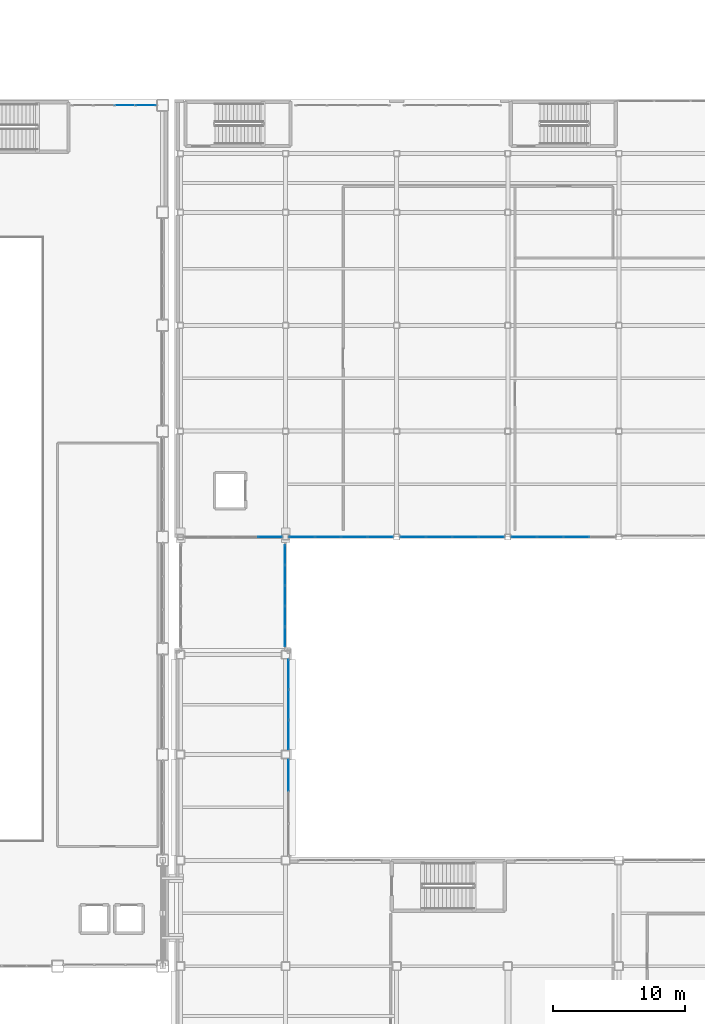
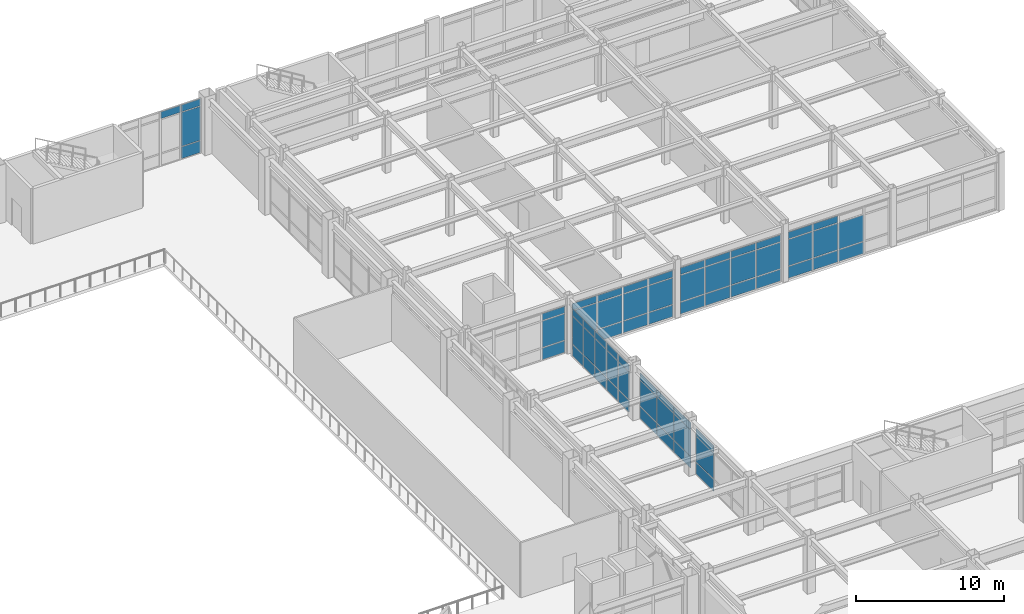
# One storey, part 132 of 172: 66 plates, 8 elements without a shape of their own.
"""IFC4 building model written with IfcOpenShell, lengths in metres."""

import ifcopenshell
import ifcopenshell.guid

model = None  # the IFC model being written
_history = None  # IfcOwnerHistory: only IFC2X3 demands one
_inside = {}  # id of a spatial element -> (the spatial element, [elements in it])
_under = {}  # id of a project, library or spatial element -> (it, [spatial elements below it])
_declared = {}  # id of a project -> (the project, [libraries it declares])
_typed = {}  # id of a type object -> (the type object, [elements of that type])
_made_of = {}  # id of a material, layer set ... -> (it, [elements and type objects made of it])


def new_model(schema):
    """Start an empty IFC model of exactly this schema.

    Asked for "IFC4X3", IfcOpenShell would pick the latest addendum, in which some entities
    have other attributes; the version numbers below select the first issue.
    IFC2X3 requires an IfcOwnerHistory on every rooted entity: one is made here for all.
    """
    global model, _history
    if schema == "IFC4X3":
        model = ifcopenshell.file(schema_version=(4, 3, 0, 0))
    else:
        model = ifcopenshell.file(schema=schema)
    _inside.clear()
    _under.clear()
    _declared.clear()
    _typed.clear()
    _made_of.clear()
    _history = None
    if model.schema == "IFC2X3":
        org = make("IfcOrganization", Name="unknown")
        user = make(
            "IfcPersonAndOrganization",
            ThePerson=make("IfcPerson", FamilyName="unknown"),
            TheOrganization=org,
        )
        app = make(
            "IfcApplication",
            ApplicationDeveloper=org,
            Version="unknown",
            ApplicationFullName="unknown",
            ApplicationIdentifier="unknown",
        )
        _history = make(
            "IfcOwnerHistory",
            OwningUser=user,
            OwningApplication=app,
            ChangeAction="ADDED",
            CreationDate=0,
        )
    return model


def make(cls, **values):
    """One entity of the class cls with the attributes given. An attribute that is None is left unset."""
    return model.create_entity(
        cls, **{name: value for name, value in values.items() if value is not None}
    )


def rooted(cls, **values):
    """An entity with a GlobalId (a new one), such as an element, a storey or a relation."""
    return make(cls, GlobalId=ifcopenshell.guid.new(), OwnerHistory=_history, **values)


def si_unit(unit_type, name, prefix=None):
    """IfcSIUnit, for example si_unit("LENGTHUNIT", "METRE", prefix="MILLI")."""
    return make("IfcSIUnit", UnitType=unit_type, Prefix=prefix, Name=name)


def assignment(units):
    """IfcUnitAssignment: the units of a project."""
    return None if units is None else make("IfcUnitAssignment", Units=units)


def point(xyz):
    """IfcCartesianPoint."""
    return None if xyz is None else make("IfcCartesianPoint", Coordinates=xyz)


def direction(xyz):
    """IfcDirection."""
    return None if xyz is None else make("IfcDirection", DirectionRatios=xyz)


def frame(location, z_axis=None, x_axis=None):
    """IfcAxis2Placement3D, a coordinate frame: its origin and axes. An axis left out is left unset."""
    return make(
        "IfcAxis2Placement3D",
        Location=point(location),
        Axis=direction(z_axis),
        RefDirection=direction(x_axis),
    )


def frame_2d(location, x_axis=None):
    """IfcAxis2Placement2D, a coordinate frame in the plane: its origin and x axis."""
    return make(
        "IfcAxis2Placement2D", Location=point(location), RefDirection=direction(x_axis)
    )


def origin():
    """The frame at (0, 0, 0) with its axes left unset."""
    return frame((0.0, 0.0, 0.0))


def origin_2d():
    """The frame at (0, 0) in the plane with its x axis left unset."""
    return frame_2d((0.0, 0.0))


def place(relative_to, where):
    """IfcLocalPlacement: puts the frame where relative to a parent placement (None: the world)."""
    return make(
        "IfcLocalPlacement", PlacementRelTo=relative_to, RelativePlacement=where
    )


def context(
    kind, dimensions, precision=None, world=None, true_north=None, identifier=None
):
    """IfcGeometricRepresentationContext, for example the 3D "Model" context."""
    return make(
        "IfcGeometricRepresentationContext",
        ContextIdentifier=identifier,
        ContextType=kind,
        CoordinateSpaceDimension=dimensions,
        Precision=precision,
        WorldCoordinateSystem=world,
        TrueNorth=true_north,
    )


def subcontext(parent, identifier, kind, view, scale=None):
    """IfcGeometricRepresentationSubContext, for example "Body" below "Model"."""
    return make(
        "IfcGeometricRepresentationSubContext",
        ContextIdentifier=identifier,
        ContextType=kind,
        ParentContext=parent,
        TargetScale=scale,
        TargetView=view,
    )


def project(units=None, contexts=None):
    """IfcProject with its units and contexts."""
    return rooted(
        "IfcProject",
        Name="project",
        RepresentationContexts=contexts,
        UnitsInContext=assignment(units),
    )


def spatial(cls, under=None, at=None, **own):
    """A site, building, storey or space (cls), placed at a placement, below another one or the project."""
    s = rooted(cls, ObjectPlacement=at, **own)
    if under is not None:
        _under.setdefault(under.id(), (under, []))[1].append(s)
    return s


def profile(cls, at=None, kind="AREA", **sizes):
    """A parametric profile (cls). Its sizes go by their IFC names, for example OverallWidth=200.0."""
    return make(cls, ProfileType=kind, Position=at, **sizes)


def rectangle(**sizes):
    """IfcRectangleProfileDef."""
    return profile("IfcRectangleProfileDef", **sizes)


def extrude(swept, where, along, depth):
    """IfcExtrudedAreaSolid: the profile swept, set in the frame where, extruded along a direction by depth."""
    return make(
        "IfcExtrudedAreaSolid",
        SweptArea=swept,
        Position=where,
        ExtrudedDirection=direction(along),
        Depth=depth,
    )


def shape(context_of_items, identifier, shape_type, items):
    """IfcShapeRepresentation: the items that make up one representation, for example the "Body"."""
    return make(
        "IfcShapeRepresentation",
        ContextOfItems=context_of_items,
        RepresentationIdentifier=identifier,
        RepresentationType=shape_type,
        Items=items,
    )


def material(Name=None, Category=None):
    """IfcMaterial."""
    return make("IfcMaterial", Name=Name, Category=Category)


def layer(
    of_material, thickness, ventilated=None, Name=None, Category=None, Priority=None
):
    """IfcMaterialLayer: one layer of a wall or slab, of a material (None: an air gap)."""
    return make(
        "IfcMaterialLayer",
        Material=of_material,
        LayerThickness=thickness,
        IsVentilated=ventilated,
        Name=Name,
        Category=Category,
        Priority=Priority,
    )


def layer_set(layers, Name=None):
    """IfcMaterialLayerSet."""
    return make("IfcMaterialLayerSet", MaterialLayers=layers, LayerSetName=Name)


def made_of(thing, what):
    """Note that an element or type object is made of a material, layer set ...; save() writes the relation."""
    if what is not None:
        _made_of.setdefault(what.id(), (what, []))[1].append(thing)
    return thing


def type_object(cls, material=None, **own):
    """A type object (cls), such as IfcWallType, which elements share."""
    return made_of(rooted(cls, **own), material)


def element(
    cls,
    number,
    at=None,
    inside=None,
    cuts=None,
    type_object=None,
    material=None,
    context=None,
    identifier="Body",
    shape_type=None,
    held_by="IfcProductDefinitionShape",
    body=None,
    shapes=None,
    **own,
):
    """One element of the class cls, such as IfcWall. Its Tag is "e" and its number.

    at: its placement. inside: the storey or other place that contains it. cuts: it is an
    opening in that element (IfcRelVoidsElement). A single representation is given by context,
    identifier, shape_type and body (its items); several are given by shapes. held_by: the class
    of the entity that holds the representations. save() writes the other relations.
    """
    e = rooted(cls, Tag="e%d" % number, ObjectPlacement=at, **own)
    if body is not None:
        shapes = [shape(context, identifier, shape_type, body)]
    if shapes is not None:
        e.Representation = make(held_by, Representations=shapes)
    if inside is not None:
        _inside.setdefault(inside.id(), (inside, []))[1].append(e)
    if cuts is not None:
        rooted(
            "IfcRelVoidsElement", RelatingBuildingElement=cuts, RelatedOpeningElement=e
        )
    if type_object is not None:
        _typed.setdefault(type_object.id(), (type_object, []))[1].append(e)
    return made_of(e, material)


def aggregate(whole, parts):
    """IfcRelAggregates: a whole, such as a stair, and the parts it consists of."""
    return rooted("IfcRelAggregates", RelatingObject=whole, RelatedObjects=parts)


def save(model, path):
    """Write the relations noted so far, then the file.

    IfcRelAggregates (storeys below a building ...), IfcRelContainedInSpatialStructure (elements
    in a storey), IfcRelDefinesByType, IfcRelAssociatesMaterial and IfcRelDeclares: one each for
    every whole, place, type object, material and project.
    """
    for whole, parts in _under.values():
        aggregate(whole, parts)
    for where, things in _inside.values():
        rooted(
            "IfcRelContainedInSpatialStructure",
            RelatedElements=things,
            RelatingStructure=where,
        )
    for kind, things in _typed.values():
        rooted("IfcRelDefinesByType", RelatedObjects=things, RelatingType=kind)
    for what, things in _made_of.values():
        rooted("IfcRelAssociatesMaterial", RelatedObjects=things, RelatingMaterial=what)
    for by, libraries in _declared.values():
        rooted("IfcRelDeclares", RelatingContext=by, RelatedDefinitions=libraries)
    model.write(path)


model = new_model("IFC4")

# Units and contexts
model_context = context("Model", 3, precision=1e-05, world=origin(), true_north=direction((0.0, 1.0)))
body_context = subcontext(model_context, "Body", "Model", "MODEL_VIEW")
ifc_project = project(units=[si_unit("LENGTHUNIT", "METRE"), si_unit("AREAUNIT", "SQUARE_METRE"), si_unit("VOLUMEUNIT", "CUBIC_METRE"), si_unit("PLANEANGLEUNIT", "RADIAN"), si_unit("MASSUNIT", "GRAM", prefix="KILO")], contexts=[model_context])

# Site, building, storey
site_placement = place(None, origin())
site = spatial("IfcSite", under=ifc_project, at=site_placement, CompositionType="ELEMENT")
building_placement = place(site_placement, origin())
building = spatial("IfcBuilding", under=site, at=building_placement, Name="Kazehara Bluff Congress Hotel", CompositionType="ELEMENT")
storey_placement = place(building_placement, frame((0.0, 0.0, 5.39990234375)))
storey = spatial("IfcBuildingStorey", under=building, at=storey_placement, Name="L01", CompositionType="ELEMENT", Elevation=5.39990234375)

# Curtain wall, plates
ifc_material_1 = material(Name="Anodised aluminium", Category="aluminium")
ifc_layer_1 = layer(ifc_material_1, 0.159912109375)
ifc_layer_set_1 = layer_set([ifc_layer_1], Name="Anodised aluminium")
curtain_wall_type_1 = type_object("IfcCurtainWallType", Name="TP-CW-02", PredefinedType="NOTDEFINED", material=ifc_layer_set_1)
curtain_wall_1_placement = place(storey_placement, origin())
curtain_wall_1 = element("IfcCurtainWall", 1, at=curtain_wall_1_placement, inside=storey, type_object=curtain_wall_type_1, Name="L01 curtain wall CW-02 CW-BRG-34-L01-B", PredefinedType="NOTDEFINED")
ifc_material_2 = material(Name="Insulated low-E double glazing", Category="glass")
ifc_layer_2 = layer(ifc_material_2, 0.028076171875)
ifc_layer_set_2 = layer_set([ifc_layer_2], Name="Insulated low-E double glazing")
plate_type_1 = type_object("IfcPlateType", Name="TP-CWP-01", PredefinedType="CURTAIN_PANEL", material=ifc_layer_set_2)
plate_1_placement = place(storey_placement, frame((67.60009765625, 73.347412109375, 0.06494140625), z_axis=(0.0, 0.0, 1.0), x_axis=(0.0, 1.0, 0.0)))
plate_1 = element("IfcPlate", 2, at=plate_1_placement, type_object=plate_type_1, Name="CW-02 panel 1.1", PredefinedType="CURTAIN_PANEL", context=body_context, shape_type="SweptSolid", body=[
    extrude(rectangle(XDim=1.455078125, YDim=0.028076171875, at=origin_2d()), origin(), (0.0, 0.0, 1.0), 0.952392578125),
])
plate_2_placement = place(storey_placement, frame((67.60009765625, 73.347412109375, 1.08251953125), z_axis=(0.0, 0.0, 1.0), x_axis=(0.0, 1.0, 0.0)))
plate_2 = element("IfcPlate", 3, at=plate_2_placement, type_object=plate_type_1, Name="CW-02 panel 1.2", PredefinedType="CURTAIN_PANEL", context=body_context, shape_type="SweptSolid", body=[
    extrude(rectangle(XDim=1.455078125, YDim=0.028076171875, at=origin_2d()), origin(), (0.0, 0.0, 1.0), 2.260009765625),
])
plate_3_placement = place(storey_placement, frame((67.60009765625, 73.347412109375, 3.40771484375), z_axis=(0.0, 0.0, 1.0), x_axis=(0.0, 1.0, 0.0)))
plate_3 = element("IfcPlate", 4, at=plate_3_placement, type_object=plate_type_1, Name="CW-02 panel 1.3", PredefinedType="CURTAIN_PANEL", context=body_context, shape_type="SweptSolid", body=[
    extrude(rectangle(XDim=1.455078125, YDim=0.028076171875, at=origin_2d()), origin(), (0.0, 0.0, 1.0), 0.552490234375),
])
plate_4_placement = place(storey_placement, frame((67.60009765625, 74.889892578125, 0.06494140625), z_axis=(0.0, 0.0, 1.0), x_axis=(0.0, 1.0, 0.0)))
plate_4 = element("IfcPlate", 5, at=plate_4_placement, type_object=plate_type_1, Name="CW-02 panel 2.1", PredefinedType="CURTAIN_PANEL", context=body_context, shape_type="SweptSolid", body=[
    extrude(rectangle(XDim=1.489990234375, YDim=0.028076171875, at=origin_2d()), origin(), (0.0, 0.0, 1.0), 0.952392578125),
])
plate_5_placement = place(storey_placement, frame((67.60009765625, 74.889892578125, 1.08251953125), z_axis=(0.0, 0.0, 1.0), x_axis=(0.0, 1.0, 0.0)))
plate_5 = element("IfcPlate", 6, at=plate_5_placement, type_object=plate_type_1, Name="CW-02 panel 2.2", PredefinedType="CURTAIN_PANEL", context=body_context, shape_type="SweptSolid", body=[
    extrude(rectangle(XDim=1.489990234375, YDim=0.028076171875, at=origin_2d()), origin(), (0.0, 0.0, 1.0), 2.260009765625),
])
plate_6_placement = place(storey_placement, frame((67.60009765625, 74.889892578125, 3.40771484375), z_axis=(0.0, 0.0, 1.0), x_axis=(0.0, 1.0, 0.0)))
plate_6 = element("IfcPlate", 7, at=plate_6_placement, type_object=plate_type_1, Name="CW-02 panel 2.3", PredefinedType="CURTAIN_PANEL", context=body_context, shape_type="SweptSolid", body=[
    extrude(rectangle(XDim=1.489990234375, YDim=0.028076171875, at=origin_2d()), origin(), (0.0, 0.0, 1.0), 0.552490234375),
])
plate_7_placement = place(storey_placement, frame((67.60009765625, 76.449951171875, 0.06494140625), z_axis=(0.0, 0.0, 1.0), x_axis=(0.0, 1.0, 0.0)))
plate_7 = element("IfcPlate", 8, at=plate_7_placement, type_object=plate_type_1, Name="CW-02 panel 3.1", PredefinedType="CURTAIN_PANEL", context=body_context, shape_type="SweptSolid", body=[
    extrude(rectangle(XDim=1.489990234375, YDim=0.028076171875, at=origin_2d()), origin(), (0.0, 0.0, 1.0), 0.952392578125),
])
plate_8_placement = place(storey_placement, frame((67.60009765625, 76.449951171875, 1.08251953125), z_axis=(0.0, 0.0, 1.0), x_axis=(0.0, 1.0, 0.0)))
plate_8 = element("IfcPlate", 9, at=plate_8_placement, type_object=plate_type_1, Name="CW-02 panel 3.2", PredefinedType="CURTAIN_PANEL", context=body_context, shape_type="SweptSolid", body=[
    extrude(rectangle(XDim=1.489990234375, YDim=0.028076171875, at=origin_2d()), origin(), (0.0, 0.0, 1.0), 2.260009765625),
])
plate_9_placement = place(storey_placement, frame((67.60009765625, 76.449951171875, 3.40771484375), z_axis=(0.0, 0.0, 1.0), x_axis=(0.0, 1.0, 0.0)))
plate_9 = element("IfcPlate", 10, at=plate_9_placement, type_object=plate_type_1, Name="CW-02 panel 3.3", PredefinedType="CURTAIN_PANEL", context=body_context, shape_type="SweptSolid", body=[
    extrude(rectangle(XDim=1.489990234375, YDim=0.028076171875, at=origin_2d()), origin(), (0.0, 0.0, 1.0), 0.552490234375),
])
plate_10_placement = place(storey_placement, frame((67.60009765625, 78.010009765625, 0.06494140625), z_axis=(0.0, 0.0, 1.0), x_axis=(0.0, 1.0, 0.0)))
plate_10 = element("IfcPlate", 11, at=plate_10_placement, type_object=plate_type_1, Name="CW-02 panel 4.1", PredefinedType="CURTAIN_PANEL", context=body_context, shape_type="SweptSolid", body=[
    extrude(rectangle(XDim=1.489990234375, YDim=0.028076171875, at=origin_2d()), origin(), (0.0, 0.0, 1.0), 0.952392578125),
])
plate_11_placement = place(storey_placement, frame((67.60009765625, 78.010009765625, 1.08251953125), z_axis=(0.0, 0.0, 1.0), x_axis=(0.0, 1.0, 0.0)))
plate_11 = element("IfcPlate", 12, at=plate_11_placement, type_object=plate_type_1, Name="CW-02 panel 4.2", PredefinedType="CURTAIN_PANEL", context=body_context, shape_type="SweptSolid", body=[
    extrude(rectangle(XDim=1.489990234375, YDim=0.028076171875, at=origin_2d()), origin(), (0.0, 0.0, 1.0), 2.260009765625),
])
plate_12_placement = place(storey_placement, frame((67.60009765625, 78.010009765625, 3.40771484375), z_axis=(0.0, 0.0, 1.0), x_axis=(0.0, 1.0, 0.0)))
plate_12 = element("IfcPlate", 13, at=plate_12_placement, type_object=plate_type_1, Name="CW-02 panel 4.3", PredefinedType="CURTAIN_PANEL", context=body_context, shape_type="SweptSolid", body=[
    extrude(rectangle(XDim=1.489990234375, YDim=0.028076171875, at=origin_2d()), origin(), (0.0, 0.0, 1.0), 0.552490234375),
])
plate_13_placement = place(storey_placement, frame((67.60009765625, 79.552490234375, 0.06494140625), z_axis=(0.0, 0.0, 1.0), x_axis=(0.0, 1.0, 0.0)))
plate_13 = element("IfcPlate", 14, at=plate_13_placement, type_object=plate_type_1, Name="CW-02 panel 5.1", PredefinedType="CURTAIN_PANEL", context=body_context, shape_type="SweptSolid", body=[
    extrude(rectangle(XDim=1.455078125, YDim=0.028076171875, at=origin_2d()), origin(), (0.0, 0.0, 1.0), 0.952392578125),
])
plate_14_placement = place(storey_placement, frame((67.60009765625, 79.552490234375, 1.08251953125), z_axis=(0.0, 0.0, 1.0), x_axis=(0.0, 1.0, 0.0)))
plate_14 = element("IfcPlate", 15, at=plate_14_placement, type_object=plate_type_1, Name="CW-02 panel 5.2", PredefinedType="CURTAIN_PANEL", context=body_context, shape_type="SweptSolid", body=[
    extrude(rectangle(XDim=1.455078125, YDim=0.028076171875, at=origin_2d()), origin(), (0.0, 0.0, 1.0), 2.260009765625),
])
plate_15_placement = place(storey_placement, frame((67.60009765625, 79.552490234375, 3.40771484375), z_axis=(0.0, 0.0, 1.0), x_axis=(0.0, 1.0, 0.0)))
plate_15 = element("IfcPlate", 16, at=plate_15_placement, type_object=plate_type_1, Name="CW-02 panel 5.3", PredefinedType="CURTAIN_PANEL", context=body_context, shape_type="SweptSolid", body=[
    extrude(rectangle(XDim=1.455078125, YDim=0.028076171875, at=origin_2d()), origin(), (0.0, 0.0, 1.0), 0.552490234375),
])
aggregate(curtain_wall_1, [plate_1, plate_2, plate_3, plate_4, plate_5, plate_6, plate_7, plate_8, plate_9, plate_10, plate_11, plate_12, plate_13, plate_14, plate_15])

ifc_material_3 = material(Name="Anodised aluminium", Category="aluminium")
ifc_layer_3 = layer(ifc_material_3, 0.159912109375)
ifc_layer_set_3 = layer_set([ifc_layer_3], Name="Anodised aluminium")
curtain_wall_type_2 = type_object("IfcCurtainWallType", Name="TP-CW-13", PredefinedType="NOTDEFINED", material=ifc_layer_set_3)
curtain_wall_2_placement = place(storey_placement, origin())
curtain_wall_2 = element("IfcCurtainWall", 17, at=curtain_wall_2_placement, inside=storey, type_object=curtain_wall_type_2, Name="L01 curtain wall CW-13 CW-V3-L01-Y8090-5992", PredefinedType="NOTDEFINED")
plate_16_placement = place(storey_placement, frame((66.47119140625, 80.89990234375, 0.06494140625), z_axis=(0.0, 0.0, 1.0), x_axis=(1.0, 0.0, 0.0)))
plate_16 = element("IfcPlate", 18, at=plate_16_placement, type_object=plate_type_1, Name="CW-13 panel 4.1", PredefinedType="CURTAIN_PANEL", context=body_context, shape_type="SweptSolid", body=[
    extrude(rectangle(XDim=1.777587890625, YDim=0.028076171875, at=origin_2d()), origin(), (0.0, 0.0, 1.0), 0.952392578125),
])
plate_17_placement = place(storey_placement, frame((66.47119140625, 80.89990234375, 1.08251953125), z_axis=(0.0, 0.0, 1.0), x_axis=(1.0, 0.0, 0.0)))
plate_17 = element("IfcPlate", 19, at=plate_17_placement, type_object=plate_type_1, Name="CW-13 panel 4.2", PredefinedType="CURTAIN_PANEL", context=body_context, shape_type="SweptSolid", body=[
    extrude(rectangle(XDim=1.777587890625, YDim=0.028076171875, at=origin_2d()), origin(), (0.0, 0.0, 1.0), 2.159912109375),
])
plate_18_placement = place(storey_placement, frame((66.47119140625, 80.89990234375, 3.3076171875), z_axis=(0.0, 0.0, 1.0), x_axis=(1.0, 0.0, 0.0)))
plate_18 = element("IfcPlate", 20, at=plate_18_placement, type_object=plate_type_1, Name="CW-13 panel 4.3", PredefinedType="CURTAIN_PANEL", context=body_context, shape_type="SweptSolid", body=[
    extrude(rectangle(XDim=1.777587890625, YDim=0.028076171875, at=origin_2d()), origin(), (0.0, 0.0, 1.0), 0.552490234375),
])
aggregate(curtain_wall_2, [plate_16, plate_17, plate_18])

ifc_material_4 = material(Name="Anodised aluminium", Category="aluminium")
ifc_layer_4 = layer(ifc_material_4, 0.159912109375)
ifc_layer_set_4 = layer_set([ifc_layer_4], Name="Anodised aluminium")
curtain_wall_type_3 = type_object("IfcCurtainWallType", Name="TP-CW-37", PredefinedType="NOTDEFINED", material=ifc_layer_set_4)
curtain_wall_3_placement = place(storey_placement, origin())
curtain_wall_3 = element("IfcCurtainWall", 21, at=curtain_wall_3_placement, inside=storey, type_object=curtain_wall_type_3, Name="L01 curtain wall CW-37 CW-V3-L01-Y8090-6788", PredefinedType="NOTDEFINED")
plate_19_placement = place(storey_placement, frame((68.885009765625, 80.89990234375, 0.06494140625), z_axis=(0.0, 0.0, 1.0), x_axis=(1.0, 0.0, 0.0)))
plate_19 = element("IfcPlate", 22, at=plate_19_placement, type_object=plate_type_1, Name="CW-37 panel 1.1", PredefinedType="CURTAIN_PANEL", context=body_context, shape_type="SweptSolid", body=[
    extrude(rectangle(XDim=1.889892578125, YDim=0.028076171875, at=origin_2d()), origin(), (0.0, 0.0, 1.0), 0.952392578125),
])
plate_20_placement = place(storey_placement, frame((68.885009765625, 80.89990234375, 1.08251953125), z_axis=(0.0, 0.0, 1.0), x_axis=(1.0, 0.0, 0.0)))
plate_20 = element("IfcPlate", 23, at=plate_20_placement, type_object=plate_type_1, Name="CW-37 panel 1.2", PredefinedType="CURTAIN_PANEL", context=body_context, shape_type="SweptSolid", body=[
    extrude(rectangle(XDim=1.889892578125, YDim=0.028076171875, at=origin_2d()), origin(), (0.0, 0.0, 1.0), 2.159912109375),
])
plate_21_placement = place(storey_placement, frame((68.885009765625, 80.89990234375, 3.3076171875), z_axis=(0.0, 0.0, 1.0), x_axis=(1.0, 0.0, 0.0)))
plate_21 = element("IfcPlate", 24, at=plate_21_placement, type_object=plate_type_1, Name="CW-37 panel 1.3", PredefinedType="CURTAIN_PANEL", context=body_context, shape_type="SweptSolid", body=[
    extrude(rectangle(XDim=1.889892578125, YDim=0.028076171875, at=origin_2d()), origin(), (0.0, 0.0, 1.0), 0.552490234375),
])
plate_22_placement = place(storey_placement, frame((70.856201171875, 80.89990234375, 0.06494140625), z_axis=(0.0, 0.0, 1.0), x_axis=(1.0, 0.0, 0.0)))
plate_22 = element("IfcPlate", 25, at=plate_22_placement, type_object=plate_type_1, Name="CW-37 panel 2.1", PredefinedType="CURTAIN_PANEL", context=body_context, shape_type="SweptSolid", body=[
    extrude(rectangle(XDim=1.922607421875, YDim=0.028076171875, at=origin_2d()), origin(), (0.0, 0.0, 1.0), 0.952392578125),
])
plate_23_placement = place(storey_placement, frame((70.856201171875, 80.89990234375, 1.08251953125), z_axis=(0.0, 0.0, 1.0), x_axis=(1.0, 0.0, 0.0)))
plate_23 = element("IfcPlate", 26, at=plate_23_placement, type_object=plate_type_1, Name="CW-37 panel 2.2", PredefinedType="CURTAIN_PANEL", context=body_context, shape_type="SweptSolid", body=[
    extrude(rectangle(XDim=1.922607421875, YDim=0.028076171875, at=origin_2d()), origin(), (0.0, 0.0, 1.0), 2.159912109375),
])
plate_24_placement = place(storey_placement, frame((70.856201171875, 80.89990234375, 3.3076171875), z_axis=(0.0, 0.0, 1.0), x_axis=(1.0, 0.0, 0.0)))
plate_24 = element("IfcPlate", 27, at=plate_24_placement, type_object=plate_type_1, Name="CW-37 panel 2.3", PredefinedType="CURTAIN_PANEL", context=body_context, shape_type="SweptSolid", body=[
    extrude(rectangle(XDim=1.922607421875, YDim=0.028076171875, at=origin_2d()), origin(), (0.0, 0.0, 1.0), 0.552490234375),
])
plate_25_placement = place(storey_placement, frame((72.84375, 80.89990234375, 0.06494140625), z_axis=(0.0, 0.0, 1.0), x_axis=(1.0, 0.0, 0.0)))
plate_25 = element("IfcPlate", 28, at=plate_25_placement, type_object=plate_type_1, Name="CW-37 panel 3.1", PredefinedType="CURTAIN_PANEL", context=body_context, shape_type="SweptSolid", body=[
    extrude(rectangle(XDim=1.922607421875, YDim=0.028076171875, at=origin_2d()), origin(), (0.0, 0.0, 1.0), 0.952392578125),
])
plate_26_placement = place(storey_placement, frame((72.84375, 80.89990234375, 1.08251953125), z_axis=(0.0, 0.0, 1.0), x_axis=(1.0, 0.0, 0.0)))
plate_26 = element("IfcPlate", 29, at=plate_26_placement, type_object=plate_type_1, Name="CW-37 panel 3.2", PredefinedType="CURTAIN_PANEL", context=body_context, shape_type="SweptSolid", body=[
    extrude(rectangle(XDim=1.922607421875, YDim=0.028076171875, at=origin_2d()), origin(), (0.0, 0.0, 1.0), 2.159912109375),
])
plate_27_placement = place(storey_placement, frame((72.84375, 80.89990234375, 3.3076171875), z_axis=(0.0, 0.0, 1.0), x_axis=(1.0, 0.0, 0.0)))
plate_27 = element("IfcPlate", 30, at=plate_27_placement, type_object=plate_type_1, Name="CW-37 panel 3.3", PredefinedType="CURTAIN_PANEL", context=body_context, shape_type="SweptSolid", body=[
    extrude(rectangle(XDim=1.922607421875, YDim=0.028076171875, at=origin_2d()), origin(), (0.0, 0.0, 1.0), 0.552490234375),
])
plate_28_placement = place(storey_placement, frame((74.81494140625, 80.89990234375, 0.06494140625), z_axis=(0.0, 0.0, 1.0), x_axis=(1.0, 0.0, 0.0)))
plate_28 = element("IfcPlate", 31, at=plate_28_placement, type_object=plate_type_1, Name="CW-37 panel 4.1", PredefinedType="CURTAIN_PANEL", context=body_context, shape_type="SweptSolid", body=[
    extrude(rectangle(XDim=1.889892578125, YDim=0.028076171875, at=origin_2d()), origin(), (0.0, 0.0, 1.0), 0.952392578125),
])
plate_29_placement = place(storey_placement, frame((74.81494140625, 80.89990234375, 1.08251953125), z_axis=(0.0, 0.0, 1.0), x_axis=(1.0, 0.0, 0.0)))
plate_29 = element("IfcPlate", 32, at=plate_29_placement, type_object=plate_type_1, Name="CW-37 panel 4.2", PredefinedType="CURTAIN_PANEL", context=body_context, shape_type="SweptSolid", body=[
    extrude(rectangle(XDim=1.889892578125, YDim=0.028076171875, at=origin_2d()), origin(), (0.0, 0.0, 1.0), 2.159912109375),
])
plate_30_placement = place(storey_placement, frame((74.81494140625, 80.89990234375, 3.3076171875), z_axis=(0.0, 0.0, 1.0), x_axis=(1.0, 0.0, 0.0)))
plate_30 = element("IfcPlate", 33, at=plate_30_placement, type_object=plate_type_1, Name="CW-37 panel 4.3", PredefinedType="CURTAIN_PANEL", context=body_context, shape_type="SweptSolid", body=[
    extrude(rectangle(XDim=1.889892578125, YDim=0.028076171875, at=origin_2d()), origin(), (0.0, 0.0, 1.0), 0.552490234375),
])
aggregate(curtain_wall_3, [plate_19, plate_20, plate_21, plate_22, plate_23, plate_24, plate_25, plate_26, plate_27, plate_28, plate_29, plate_30])

curtain_wall_4_placement = place(storey_placement, origin())
curtain_wall_4 = element("IfcCurtainWall", 34, at=curtain_wall_4_placement, inside=storey, type_object=curtain_wall_type_3, Name="L01 curtain wall CW-37 CW-V3-L01-Y8090-7628", PredefinedType="NOTDEFINED")
plate_31_placement = place(storey_placement, frame((77.284912109375, 80.89990234375, 0.06494140625), z_axis=(0.0, 0.0, 1.0), x_axis=(1.0, 0.0, 0.0)))
plate_31 = element("IfcPlate", 35, at=plate_31_placement, type_object=plate_type_1, Name="CW-37 panel 1.1", PredefinedType="CURTAIN_PANEL", context=body_context, shape_type="SweptSolid", body=[
    extrude(rectangle(XDim=1.889892578125, YDim=0.028076171875, at=origin_2d()), origin(), (0.0, 0.0, 1.0), 0.952392578125),
])
plate_32_placement = place(storey_placement, frame((77.284912109375, 80.89990234375, 1.08251953125), z_axis=(0.0, 0.0, 1.0), x_axis=(1.0, 0.0, 0.0)))
plate_32 = element("IfcPlate", 36, at=plate_32_placement, type_object=plate_type_1, Name="CW-37 panel 1.2", PredefinedType="CURTAIN_PANEL", context=body_context, shape_type="SweptSolid", body=[
    extrude(rectangle(XDim=1.889892578125, YDim=0.028076171875, at=origin_2d()), origin(), (0.0, 0.0, 1.0), 2.159912109375),
])
plate_33_placement = place(storey_placement, frame((77.284912109375, 80.89990234375, 3.3076171875), z_axis=(0.0, 0.0, 1.0), x_axis=(1.0, 0.0, 0.0)))
plate_33 = element("IfcPlate", 37, at=plate_33_placement, type_object=plate_type_1, Name="CW-37 panel 1.3", PredefinedType="CURTAIN_PANEL", context=body_context, shape_type="SweptSolid", body=[
    extrude(rectangle(XDim=1.889892578125, YDim=0.028076171875, at=origin_2d()), origin(), (0.0, 0.0, 1.0), 0.552490234375),
])
plate_34_placement = place(storey_placement, frame((79.25634765625, 80.89990234375, 0.06494140625), z_axis=(0.0, 0.0, 1.0), x_axis=(1.0, 0.0, 0.0)))
plate_34 = element("IfcPlate", 38, at=plate_34_placement, type_object=plate_type_1, Name="CW-37 panel 2.1", PredefinedType="CURTAIN_PANEL", context=body_context, shape_type="SweptSolid", body=[
    extrude(rectangle(XDim=1.922607421875, YDim=0.028076171875, at=origin_2d()), origin(), (0.0, 0.0, 1.0), 0.952392578125),
])
plate_35_placement = place(storey_placement, frame((79.25634765625, 80.89990234375, 1.08251953125), z_axis=(0.0, 0.0, 1.0), x_axis=(1.0, 0.0, 0.0)))
plate_35 = element("IfcPlate", 39, at=plate_35_placement, type_object=plate_type_1, Name="CW-37 panel 2.2", PredefinedType="CURTAIN_PANEL", context=body_context, shape_type="SweptSolid", body=[
    extrude(rectangle(XDim=1.922607421875, YDim=0.028076171875, at=origin_2d()), origin(), (0.0, 0.0, 1.0), 2.159912109375),
])
plate_36_placement = place(storey_placement, frame((79.25634765625, 80.89990234375, 3.3076171875), z_axis=(0.0, 0.0, 1.0), x_axis=(1.0, 0.0, 0.0)))
plate_36 = element("IfcPlate", 40, at=plate_36_placement, type_object=plate_type_1, Name="CW-37 panel 2.3", PredefinedType="CURTAIN_PANEL", context=body_context, shape_type="SweptSolid", body=[
    extrude(rectangle(XDim=1.922607421875, YDim=0.028076171875, at=origin_2d()), origin(), (0.0, 0.0, 1.0), 0.552490234375),
])
plate_37_placement = place(storey_placement, frame((81.24365234375, 80.89990234375, 0.06494140625), z_axis=(0.0, 0.0, 1.0), x_axis=(1.0, 0.0, 0.0)))
plate_37 = element("IfcPlate", 41, at=plate_37_placement, type_object=plate_type_1, Name="CW-37 panel 3.1", PredefinedType="CURTAIN_PANEL", context=body_context, shape_type="SweptSolid", body=[
    extrude(rectangle(XDim=1.922607421875, YDim=0.028076171875, at=origin_2d()), origin(), (0.0, 0.0, 1.0), 0.952392578125),
])
plate_38_placement = place(storey_placement, frame((81.24365234375, 80.89990234375, 1.08251953125), z_axis=(0.0, 0.0, 1.0), x_axis=(1.0, 0.0, 0.0)))
plate_38 = element("IfcPlate", 42, at=plate_38_placement, type_object=plate_type_1, Name="CW-37 panel 3.2", PredefinedType="CURTAIN_PANEL", context=body_context, shape_type="SweptSolid", body=[
    extrude(rectangle(XDim=1.922607421875, YDim=0.028076171875, at=origin_2d()), origin(), (0.0, 0.0, 1.0), 2.159912109375),
])
plate_39_placement = place(storey_placement, frame((81.24365234375, 80.89990234375, 3.3076171875), z_axis=(0.0, 0.0, 1.0), x_axis=(1.0, 0.0, 0.0)))
plate_39 = element("IfcPlate", 43, at=plate_39_placement, type_object=plate_type_1, Name="CW-37 panel 3.3", PredefinedType="CURTAIN_PANEL", context=body_context, shape_type="SweptSolid", body=[
    extrude(rectangle(XDim=1.922607421875, YDim=0.028076171875, at=origin_2d()), origin(), (0.0, 0.0, 1.0), 0.552490234375),
])
plate_40_placement = place(storey_placement, frame((83.215087890625, 80.89990234375, 0.06494140625), z_axis=(0.0, 0.0, 1.0), x_axis=(1.0, 0.0, 0.0)))
plate_40 = element("IfcPlate", 44, at=plate_40_placement, type_object=plate_type_1, Name="CW-37 panel 4.1", PredefinedType="CURTAIN_PANEL", context=body_context, shape_type="SweptSolid", body=[
    extrude(rectangle(XDim=1.889892578125, YDim=0.028076171875, at=origin_2d()), origin(), (0.0, 0.0, 1.0), 0.952392578125),
])
plate_41_placement = place(storey_placement, frame((83.215087890625, 80.89990234375, 1.08251953125), z_axis=(0.0, 0.0, 1.0), x_axis=(1.0, 0.0, 0.0)))
plate_41 = element("IfcPlate", 45, at=plate_41_placement, type_object=plate_type_1, Name="CW-37 panel 4.2", PredefinedType="CURTAIN_PANEL", context=body_context, shape_type="SweptSolid", body=[
    extrude(rectangle(XDim=1.889892578125, YDim=0.028076171875, at=origin_2d()), origin(), (0.0, 0.0, 1.0), 2.159912109375),
])
plate_42_placement = place(storey_placement, frame((83.215087890625, 80.89990234375, 3.3076171875), z_axis=(0.0, 0.0, 1.0), x_axis=(1.0, 0.0, 0.0)))
plate_42 = element("IfcPlate", 46, at=plate_42_placement, type_object=plate_type_1, Name="CW-37 panel 4.3", PredefinedType="CURTAIN_PANEL", context=body_context, shape_type="SweptSolid", body=[
    extrude(rectangle(XDim=1.889892578125, YDim=0.028076171875, at=origin_2d()), origin(), (0.0, 0.0, 1.0), 0.552490234375),
])
aggregate(curtain_wall_4, [plate_31, plate_32, plate_33, plate_34, plate_35, plate_36, plate_37, plate_38, plate_39, plate_40, plate_41, plate_42])

curtain_wall_5_placement = place(storey_placement, origin())
curtain_wall_5 = element("IfcCurtainWall", 47, at=curtain_wall_5_placement, inside=storey, type_object=curtain_wall_type_3, Name="L01 curtain wall CW-37 CW-V3-L01-Y8090-8468", PredefinedType="NOTDEFINED")
plate_43_placement = place(storey_placement, frame((85.68505859375, 80.89990234375, 0.06494140625), z_axis=(0.0, 0.0, 1.0), x_axis=(1.0, 0.0, 0.0)))
plate_43 = element("IfcPlate", 48, at=plate_43_placement, type_object=plate_type_1, Name="CW-37 panel 1.1", PredefinedType="CURTAIN_PANEL", context=body_context, shape_type="SweptSolid", body=[
    extrude(rectangle(XDim=1.889892578125, YDim=0.028076171875, at=origin_2d()), origin(), (0.0, 0.0, 1.0), 0.952392578125),
])
plate_44_placement = place(storey_placement, frame((85.68505859375, 80.89990234375, 1.08251953125), z_axis=(0.0, 0.0, 1.0), x_axis=(1.0, 0.0, 0.0)))
plate_44 = element("IfcPlate", 49, at=plate_44_placement, type_object=plate_type_1, Name="CW-37 panel 1.2", PredefinedType="CURTAIN_PANEL", context=body_context, shape_type="SweptSolid", body=[
    extrude(rectangle(XDim=1.889892578125, YDim=0.028076171875, at=origin_2d()), origin(), (0.0, 0.0, 1.0), 2.159912109375),
])
plate_45_placement = place(storey_placement, frame((85.68505859375, 80.89990234375, 3.3076171875), z_axis=(0.0, 0.0, 1.0), x_axis=(1.0, 0.0, 0.0)))
plate_45 = element("IfcPlate", 50, at=plate_45_placement, type_object=plate_type_1, Name="CW-37 panel 1.3", PredefinedType="CURTAIN_PANEL", context=body_context, shape_type="SweptSolid", body=[
    extrude(rectangle(XDim=1.889892578125, YDim=0.028076171875, at=origin_2d()), origin(), (0.0, 0.0, 1.0), 0.552490234375),
])
plate_46_placement = place(storey_placement, frame((87.65625, 80.89990234375, 0.06494140625), z_axis=(0.0, 0.0, 1.0), x_axis=(1.0, 0.0, 0.0)))
plate_46 = element("IfcPlate", 51, at=plate_46_placement, type_object=plate_type_1, Name="CW-37 panel 2.1", PredefinedType="CURTAIN_PANEL", context=body_context, shape_type="SweptSolid", body=[
    extrude(rectangle(XDim=1.922607421875, YDim=0.028076171875, at=origin_2d()), origin(), (0.0, 0.0, 1.0), 0.952392578125),
])
plate_47_placement = place(storey_placement, frame((87.65625, 80.89990234375, 1.08251953125), z_axis=(0.0, 0.0, 1.0), x_axis=(1.0, 0.0, 0.0)))
plate_47 = element("IfcPlate", 52, at=plate_47_placement, type_object=plate_type_1, Name="CW-37 panel 2.2", PredefinedType="CURTAIN_PANEL", context=body_context, shape_type="SweptSolid", body=[
    extrude(rectangle(XDim=1.922607421875, YDim=0.028076171875, at=origin_2d()), origin(), (0.0, 0.0, 1.0), 2.159912109375),
])
plate_48_placement = place(storey_placement, frame((87.65625, 80.89990234375, 3.3076171875), z_axis=(0.0, 0.0, 1.0), x_axis=(1.0, 0.0, 0.0)))
plate_48 = element("IfcPlate", 53, at=plate_48_placement, type_object=plate_type_1, Name="CW-37 panel 2.3", PredefinedType="CURTAIN_PANEL", context=body_context, shape_type="SweptSolid", body=[
    extrude(rectangle(XDim=1.922607421875, YDim=0.028076171875, at=origin_2d()), origin(), (0.0, 0.0, 1.0), 0.552490234375),
])
plate_49_placement = place(storey_placement, frame((89.643798828125, 80.89990234375, 0.06494140625), z_axis=(0.0, 0.0, 1.0), x_axis=(1.0, 0.0, 0.0)))
plate_49 = element("IfcPlate", 54, at=plate_49_placement, type_object=plate_type_1, Name="CW-37 panel 3.1", PredefinedType="CURTAIN_PANEL", context=body_context, shape_type="SweptSolid", body=[
    extrude(rectangle(XDim=1.922607421875, YDim=0.028076171875, at=origin_2d()), origin(), (0.0, 0.0, 1.0), 0.952392578125),
])
plate_50_placement = place(storey_placement, frame((89.643798828125, 80.89990234375, 1.08251953125), z_axis=(0.0, 0.0, 1.0), x_axis=(1.0, 0.0, 0.0)))
plate_50 = element("IfcPlate", 55, at=plate_50_placement, type_object=plate_type_1, Name="CW-37 panel 3.2", PredefinedType="CURTAIN_PANEL", context=body_context, shape_type="SweptSolid", body=[
    extrude(rectangle(XDim=1.922607421875, YDim=0.028076171875, at=origin_2d()), origin(), (0.0, 0.0, 1.0), 2.159912109375),
])
aggregate(curtain_wall_5, [plate_43, plate_44, plate_45, plate_46, plate_47, plate_48, plate_49, plate_50])

ifc_material_5 = material(Name="Anodised aluminium", Category="aluminium")
ifc_layer_5 = layer(ifc_material_5, 0.159912109375)
ifc_layer_set_5 = layer_set([ifc_layer_5], Name="Anodised aluminium")
curtain_wall_type_4 = type_object("IfcCurtainWallType", Name="TP-CW-56", PredefinedType="NOTDEFINED", material=ifc_layer_set_5)
curtain_wall_6_placement = place(storey_placement, origin())
curtain_wall_6 = element("IfcCurtainWall", 56, at=curtain_wall_6_placement, inside=storey, type_object=curtain_wall_type_4, Name="L01 curtain wall CW-56 CW-ENC-V4-L01-6788-6045", PredefinedType="NOTDEFINED")
plate_51_placement = place(storey_placement, frame((67.8798828125, 62.8837890625, 0.06494140625), z_axis=(0.0, 0.0, 1.0), x_axis=(0.0, -1.0, 0.0)))
plate_51 = element("IfcPlate", 57, at=plate_51_placement, type_object=plate_type_1, Name="CW-56 panel 1.1", PredefinedType="CURTAIN_PANEL", context=body_context, shape_type="SweptSolid", body=[
    extrude(rectangle(XDim=2.3525390625, YDim=0.028076171875, at=origin_2d()), origin(), (0.0, 0.0, 1.0), 0.952392578125),
])
plate_52_placement = place(storey_placement, frame((67.8798828125, 62.8837890625, 1.08251953125), z_axis=(0.0, 0.0, 1.0), x_axis=(0.0, -1.0, 0.0)))
plate_52 = element("IfcPlate", 58, at=plate_52_placement, type_object=plate_type_1, Name="CW-56 panel 1.2", PredefinedType="CURTAIN_PANEL", context=body_context, shape_type="SweptSolid", body=[
    extrude(rectangle(XDim=2.3525390625, YDim=0.028076171875, at=origin_2d()), origin(), (0.0, 0.0, 1.0), 2.110107421875),
])
plate_53_placement = place(storey_placement, frame((67.8798828125, 62.8837890625, 3.2578125), z_axis=(0.0, 0.0, 1.0), x_axis=(0.0, -1.0, 0.0)))
plate_53 = element("IfcPlate", 59, at=plate_53_placement, type_object=plate_type_1, Name="CW-56 panel 1.3", PredefinedType="CURTAIN_PANEL", context=body_context, shape_type="SweptSolid", body=[
    extrude(rectangle(XDim=2.3525390625, YDim=0.028076171875, at=origin_2d()), origin(), (0.0, 0.0, 1.0), 0.552490234375),
])
aggregate(curtain_wall_6, [plate_51, plate_52, plate_53])

ifc_material_6 = material(Name="Anodised aluminium", Category="aluminium")
ifc_layer_6 = layer(ifc_material_6, 0.159912109375)
ifc_layer_set_6 = layer_set([ifc_layer_6], Name="Anodised aluminium")
curtain_wall_type_5 = type_object("IfcCurtainWallType", Name="TP-CW-55", PredefinedType="NOTDEFINED", material=ifc_layer_set_6)
curtain_wall_7_placement = place(storey_placement, origin())
curtain_wall_7 = element("IfcCurtainWall", 60, at=curtain_wall_7_placement, inside=storey, type_object=curtain_wall_type_5, Name="L01 curtain wall CW-55 CW-ENC-V4-L01-6788-6822", PredefinedType="NOTDEFINED")
plate_54_placement = place(storey_placement, frame((67.8798828125, 70.5087890625, 0.06494140625), z_axis=(0.0, 0.0, 1.0), x_axis=(0.0, -1.0, 0.0)))
plate_54 = element("IfcPlate", 61, at=plate_54_placement, type_object=plate_type_1, Name="CW-55 panel 1.1", PredefinedType="CURTAIN_PANEL", context=body_context, shape_type="SweptSolid", body=[
    extrude(rectangle(XDim=2.202392578125, YDim=0.028076171875, at=origin_2d()), origin(), (0.0, 0.0, 1.0), 0.952392578125),
])
plate_55_placement = place(storey_placement, frame((67.8798828125, 70.5087890625, 1.08251953125), z_axis=(0.0, 0.0, 1.0), x_axis=(0.0, -1.0, 0.0)))
plate_55 = element("IfcPlate", 62, at=plate_55_placement, type_object=plate_type_1, Name="CW-55 panel 1.2", PredefinedType="CURTAIN_PANEL", context=body_context, shape_type="SweptSolid", body=[
    extrude(rectangle(XDim=2.202392578125, YDim=0.028076171875, at=origin_2d()), origin(), (0.0, 0.0, 1.0), 2.110107421875),
])
plate_56_placement = place(storey_placement, frame((67.8798828125, 70.5087890625, 3.2578125), z_axis=(0.0, 0.0, 1.0), x_axis=(0.0, -1.0, 0.0)))
plate_56 = element("IfcPlate", 63, at=plate_56_placement, type_object=plate_type_1, Name="CW-55 panel 1.3", PredefinedType="CURTAIN_PANEL", context=body_context, shape_type="SweptSolid", body=[
    extrude(rectangle(XDim=2.202392578125, YDim=0.028076171875, at=origin_2d()), origin(), (0.0, 0.0, 1.0), 0.552490234375),
])
plate_57_placement = place(storey_placement, frame((67.8798828125, 68.22509765625, 0.06494140625), z_axis=(0.0, 0.0, 1.0), x_axis=(0.0, -1.0, 0.0)))
plate_57 = element("IfcPlate", 64, at=plate_57_placement, type_object=plate_type_1, Name="CW-55 panel 2.1", PredefinedType="CURTAIN_PANEL", context=body_context, shape_type="SweptSolid", body=[
    extrude(rectangle(XDim=2.235107421875, YDim=0.028076171875, at=origin_2d()), origin(), (0.0, 0.0, 1.0), 0.952392578125),
])
plate_58_placement = place(storey_placement, frame((67.8798828125, 68.22509765625, 1.08251953125), z_axis=(0.0, 0.0, 1.0), x_axis=(0.0, -1.0, 0.0)))
plate_58 = element("IfcPlate", 65, at=plate_58_placement, type_object=plate_type_1, Name="CW-55 panel 2.2", PredefinedType="CURTAIN_PANEL", context=body_context, shape_type="SweptSolid", body=[
    extrude(rectangle(XDim=2.235107421875, YDim=0.028076171875, at=origin_2d()), origin(), (0.0, 0.0, 1.0), 2.110107421875),
])
plate_59_placement = place(storey_placement, frame((67.8798828125, 68.22509765625, 3.2578125), z_axis=(0.0, 0.0, 1.0), x_axis=(0.0, -1.0, 0.0)))
plate_59 = element("IfcPlate", 66, at=plate_59_placement, type_object=plate_type_1, Name="CW-55 panel 2.3", PredefinedType="CURTAIN_PANEL", context=body_context, shape_type="SweptSolid", body=[
    extrude(rectangle(XDim=2.235107421875, YDim=0.028076171875, at=origin_2d()), origin(), (0.0, 0.0, 1.0), 0.552490234375),
])
plate_60_placement = place(storey_placement, frame((67.8798828125, 65.941162109375, 0.06494140625), z_axis=(0.0, 0.0, 1.0), x_axis=(0.0, -1.0, 0.0)))
plate_60 = element("IfcPlate", 67, at=plate_60_placement, type_object=plate_type_1, Name="CW-55 panel 3.1", PredefinedType="CURTAIN_PANEL", context=body_context, shape_type="SweptSolid", body=[
    extrude(rectangle(XDim=2.202392578125, YDim=0.028076171875, at=origin_2d()), origin(), (0.0, 0.0, 1.0), 0.952392578125),
])
plate_61_placement = place(storey_placement, frame((67.8798828125, 65.941162109375, 1.08251953125), z_axis=(0.0, 0.0, 1.0), x_axis=(0.0, -1.0, 0.0)))
plate_61 = element("IfcPlate", 68, at=plate_61_placement, type_object=plate_type_1, Name="CW-55 panel 3.2", PredefinedType="CURTAIN_PANEL", context=body_context, shape_type="SweptSolid", body=[
    extrude(rectangle(XDim=2.202392578125, YDim=0.028076171875, at=origin_2d()), origin(), (0.0, 0.0, 1.0), 2.110107421875),
])
plate_62_placement = place(storey_placement, frame((67.8798828125, 65.941162109375, 3.2578125), z_axis=(0.0, 0.0, 1.0), x_axis=(0.0, -1.0, 0.0)))
plate_62 = element("IfcPlate", 69, at=plate_62_placement, type_object=plate_type_1, Name="CW-55 panel 3.3", PredefinedType="CURTAIN_PANEL", context=body_context, shape_type="SweptSolid", body=[
    extrude(rectangle(XDim=2.202392578125, YDim=0.028076171875, at=origin_2d()), origin(), (0.0, 0.0, 1.0), 0.552490234375),
])
aggregate(curtain_wall_7, [plate_54, plate_55, plate_56, plate_57, plate_58, plate_59, plate_60, plate_61, plate_62])

ifc_material_7 = material(Name="Anodised aluminium", Category="aluminium")
ifc_layer_7 = layer(ifc_material_7, 0.159912109375)
ifc_layer_set_7 = layer_set([ifc_layer_7], Name="Anodised aluminium")
curtain_wall_type_6 = type_object("IfcCurtainWallType", Name="TP-CW-09", PredefinedType="NOTDEFINED", material=ifc_layer_set_7)
curtain_wall_8_placement = place(storey_placement, origin())
curtain_wall_8 = element("IfcCurtainWall", 70, at=curtain_wall_8_placement, inside=storey, type_object=curtain_wall_type_6, Name="L01 curtain wall CW-09 CW-V1-L01-Y11355-5150", PredefinedType="NOTDEFINED")
ifc_material_8 = material(Name="Insulated low-E double glazing", Category="glass")
ifc_layer_8 = layer(ifc_material_8, 0.031982421875)
ifc_layer_set_8 = layer_set([ifc_layer_8], Name="Insulated low-E double glazing")
plate_type_2 = type_object("IfcPlateType", Name="TP-CWP-02", PredefinedType="CURTAIN_PANEL", material=ifc_layer_set_8)
plate_63_placement = place(storey_placement, frame((55.5, 113.550048828125, 3.9150390625), z_axis=(0.0, 0.0, 1.0), x_axis=(1.0, 0.0, 0.0)))
plate_63 = element("IfcPlate", 71, at=plate_63_placement, type_object=plate_type_2, Name="CW-09 panel 3.3", PredefinedType="CURTAIN_PANEL", context=body_context, shape_type="SweptSolid", body=[
    extrude(rectangle(XDim=1.530029296875, YDim=0.031982421875, at=origin_2d()), origin(), (0.0, 0.0, 1.0), 0.56005859375),
])
plate_64_placement = place(storey_placement, frame((57.08251953125, 113.550048828125, 0.06005859375), z_axis=(0.0, 0.0, 1.0), x_axis=(1.0, 0.0, 0.0)))
plate_64 = element("IfcPlate", 72, at=plate_64_placement, type_object=plate_type_2, Name="CW-09 panel 4.1", PredefinedType="CURTAIN_PANEL", context=body_context, shape_type="SweptSolid", body=[
    extrude(rectangle(XDim=1.4951171875, YDim=0.031982421875, at=origin_2d()), origin(), (0.0, 0.0, 1.0), 0.9599609375),
])
plate_65_placement = place(storey_placement, frame((57.08251953125, 113.550048828125, 1.080078125), z_axis=(0.0, 0.0, 1.0), x_axis=(1.0, 0.0, 0.0)))
plate_65 = element("IfcPlate", 73, at=plate_65_placement, type_object=plate_type_2, Name="CW-09 panel 4.2", PredefinedType="CURTAIN_PANEL", context=body_context, shape_type="SweptSolid", body=[
    extrude(rectangle(XDim=1.4951171875, YDim=0.031982421875, at=origin_2d()), origin(), (0.0, 0.0, 1.0), 2.77490234375),
])
plate_66_placement = place(storey_placement, frame((57.08251953125, 113.550048828125, 3.9150390625), z_axis=(0.0, 0.0, 1.0), x_axis=(1.0, 0.0, 0.0)))
plate_66 = element("IfcPlate", 74, at=plate_66_placement, type_object=plate_type_2, Name="CW-09 panel 4.3", PredefinedType="CURTAIN_PANEL", context=body_context, shape_type="SweptSolid", body=[
    extrude(rectangle(XDim=1.4951171875, YDim=0.031982421875, at=origin_2d()), origin(), (0.0, 0.0, 1.0), 0.56005859375),
])
aggregate(curtain_wall_8, [plate_63, plate_64, plate_65, plate_66])

save(model, "model.ifc")
